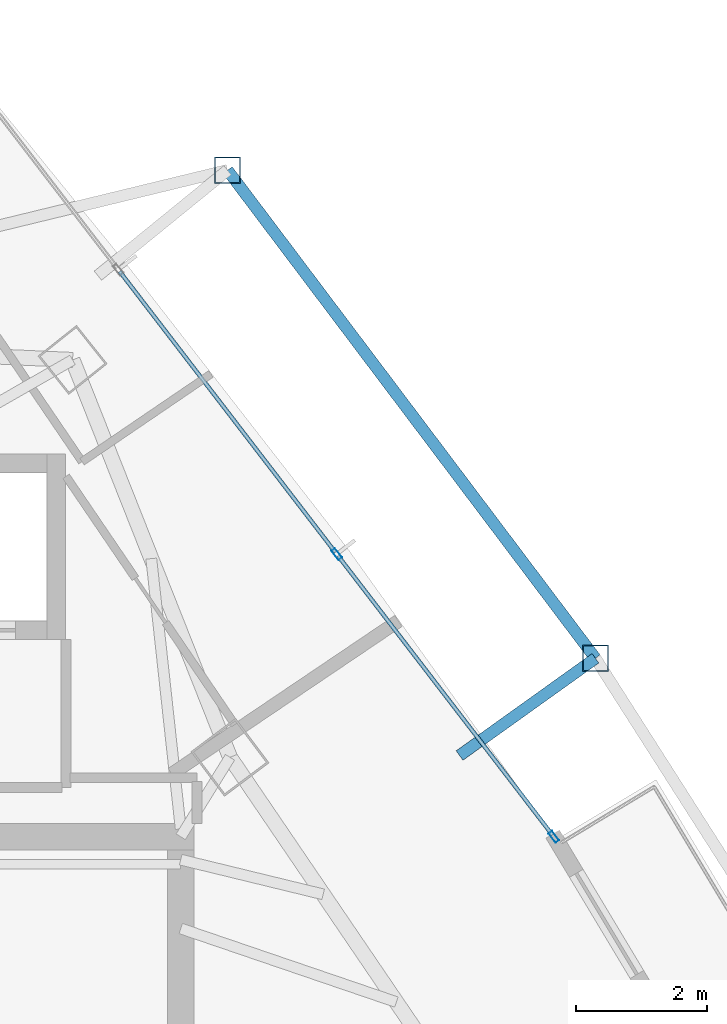
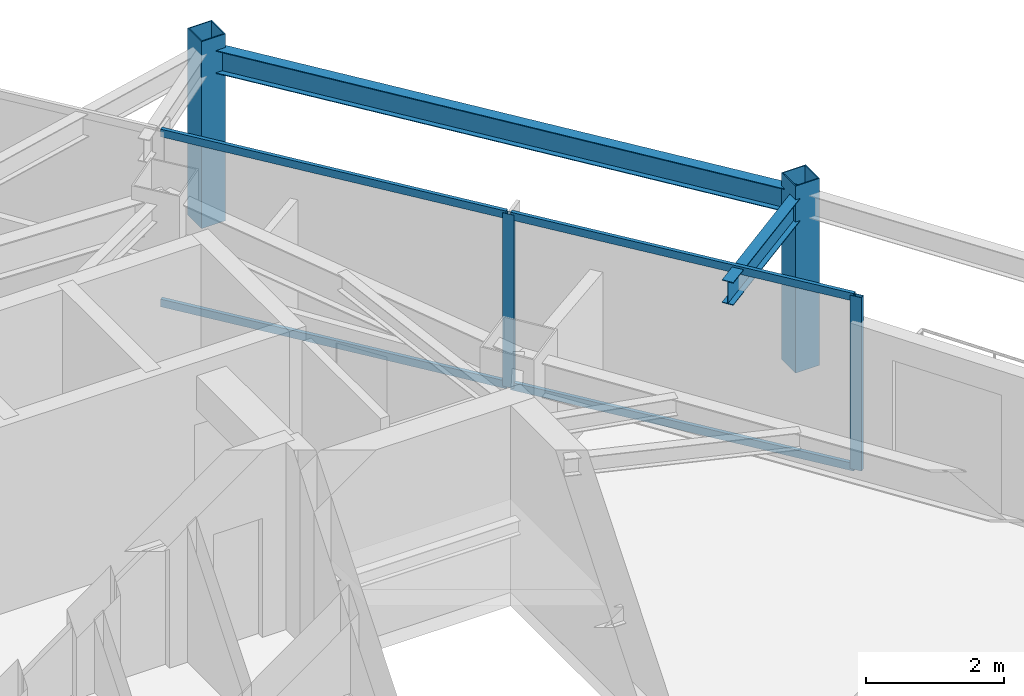
# One storey, part 22 of 29: 8 members, 2 beams, 1 element without a shape of its own.
"""IFC4 building model written with IfcOpenShell, lengths in metres."""

from ifc_helpers import new_model, si_unit, direction, frame, origin, origin_2d, place, context, subcontext, project, spatial, hollow_rectangle, i_section, extrude, material, layer, layer_set, material_profile, profile_set, type_object, element, aggregate, save


model = new_model("IFC4")

# Units and contexts
model_context = context("Model", 3, precision=1e-05, world=origin(), true_north=direction((0.0, 1.0)))
body_context = subcontext(model_context, "Body", "Model", "MODEL_VIEW")
ifc_project = project(units=[si_unit("LENGTHUNIT", "METRE"), si_unit("AREAUNIT", "SQUARE_METRE"), si_unit("VOLUMEUNIT", "CUBIC_METRE"), si_unit("PLANEANGLEUNIT", "RADIAN"), si_unit("MASSUNIT", "GRAM", prefix="KILO")], contexts=[model_context])

# Site, building, storey
site_placement = place(None, origin())
site = spatial("IfcSite", under=ifc_project, at=site_placement, CompositionType="ELEMENT")
building_placement = place(site_placement, origin())
building = spatial("IfcBuilding", under=site, at=building_placement, Name="Orvanel Arch Residences", CompositionType="ELEMENT")
storey_placement = place(building_placement, frame((0.0, 0.0, 160.550048828125)))
storey = spatial("IfcBuildingStorey", under=building, at=storey_placement, Name="L45", CompositionType="ELEMENT", Elevation=160.550048828125)

# Curtain wall, members
ifc_material_1 = material(Name="Bronze-anodised aluminium AA6063-T6", Category="aluminium")
ifc_layer = layer(ifc_material_1, 0.179931640625)
ifc_layer_set = layer_set([ifc_layer], Name="Bronze-anodised aluminium AA6063-T6")
curtain_wall_type = type_object("IfcCurtainWallType", Name="CW3-MID-SYS", PredefinedType="NOTDEFINED", material=ifc_layer_set)
curtain_wall_placement = place(storey_placement, origin())
curtain_wall = element("IfcCurtainWall", 1, at=curtain_wall_placement, inside=storey, type_object=curtain_wall_type, Name="L45 CW3-MID-SYS Unitised Curtain Wall", PredefinedType="NOTDEFINED")
ifc_material_profile_1 = material_profile(ifc_material_1, hollow_rectangle(XDim=0.070068359375, YDim=0.179931640625, WallThickness=0.00439453125, at=origin_2d()), Name="ALU180x70x4.5")
ifc_profile_set_1 = profile_set([ifc_material_profile_1], Name="Bronze-anodised aluminium AA6063-T6")
member_type_1 = type_object("IfcMemberType", Name="MUL-180x70", PredefinedType="MULLION", material=ifc_profile_set_1)
member_1_placement = place(storey_placement, frame((45.294677734375, 33.899658203125, 0.0), z_axis=(0.0, 0.0, 1.0), x_axis=(-0.793094540336, -0.609098555317, 0.0)))
member_1 = element("IfcMember", 2, at=member_1_placement, type_object=member_type_1, Name="CW-S3 mullion 1", PredefinedType="MULLION", context=body_context, shape_type="SweptSolid", body=[
    extrude(hollow_rectangle(XDim=0.070068359375, YDim=0.179931640625, WallThickness=0.00439453125, at=origin_2d()), origin(), (0.0, 0.0, 1.0), 3.06005859375),
])
member_2_placement = place(storey_placement, frame((41.9814453125, 38.214111328125, 0.0), z_axis=(0.0, 0.0, 1.0), x_axis=(-0.793094540336, -0.609098555317, 0.0)))
member_2 = element("IfcMember", 3, at=member_2_placement, type_object=member_type_1, Name="CW-S3 mullion 2", PredefinedType="MULLION", context=body_context, shape_type="SweptSolid", body=[
    extrude(hollow_rectangle(XDim=0.070068359375, YDim=0.179931640625, WallThickness=0.00439453125, at=origin_2d()), origin(), (0.0, 0.0, 1.0), 3.06005859375),
])

# Beams
ifc_material_2 = material(Name="Structural steel AS/NZS 3679.1 Grade 300 (300 MPa)", Category="steel")
ifc_material_profile_2 = material_profile(ifc_material_2, i_section(OverallWidth=0.177978515625, OverallDepth=0.406005859375, WebThickness=0.0078125, FlangeThickness=0.0126953125, at=origin_2d()), Name="410UB59.7")
ifc_profile_set_2 = profile_set([ifc_material_profile_2], Name="Structural steel AS/NZS 3679.1 Grade 300 (300 MPa)")
beam_type = type_object("IfcBeamType", Name="OB-410UB-EXT", PredefinedType="SPANDREL", material=ifc_profile_set_2)
beam_1_placement = place(storey_placement, frame((43.85595703125, 35.139892578125, 2.85693359375), z_axis=(0.813228640258, 0.581944308903, 0.0), x_axis=(-0.581944308903, 0.813228640258, 0.0)))
element("IfcBeam", 4, at=beam_1_placement, inside=storey, type_object=beam_type, Name="L45 Outer Frame Radial Tie Beam 11", PredefinedType="SPANDREL", context=body_context, shape_type="SweptSolid", body=[
    extrude(i_section(OverallWidth=0.177978515625, OverallDepth=0.406005859375, WebThickness=0.0078125, FlangeThickness=0.0126953125, at=origin_2d()), origin(), (0.0, 0.0, 1.0), 2.55029296875),
])
beam_2_placement = place(storey_placement, frame((45.929931640625, 36.6240234375, 2.85693359375), z_axis=(-0.601937083038, 0.7985435167, 0.0), x_axis=(-0.7985435167, -0.601937083038, 0.0)))
element("IfcBeam", 5, at=beam_2_placement, inside=storey, type_object=beam_type, Name="L45 Outer Perimeter Floor Ring Beam 11", PredefinedType="SPANDREL", context=body_context, shape_type="SweptSolid", body=[
    extrude(i_section(OverallWidth=0.177978515625, OverallDepth=0.406005859375, WebThickness=0.0078125, FlangeThickness=0.0126953125, at=origin_2d()), origin(), (0.0, 0.0, 1.0), 9.328125),
])

# Members
ifc_material_3 = material(Name="Structural steel AS/NZS 1163 C450L0 (Grade 450)", Category="steel")
ifc_material_profile_3 = material_profile(ifc_material_3, hollow_rectangle(XDim=0.39990234375, YDim=0.39990234375, WallThickness=0.01611328125, at=origin_2d()), Name="SHS400x400x16")
ifc_profile_set_3 = profile_set([ifc_material_profile_3], Name="Structural steel AS/NZS 1163 C450L0 (Grade 450)")
member_type_2 = type_object("IfcMemberType", Name="ST-400SHS-EXT", PredefinedType="STRUT", material=ifc_profile_set_3)
for number, where, z_axis, x_axis, name in (
    (6, (45.929931640625, 36.6240234375, 0.0), (0.0, 0.0, 1.0), (1.0, 0.0, 0.0), "L45 Outer Perimeter Frame Post 11"),
    (7, (40.31494140625, 44.072998046875, 0.0), (0.0, 0.0, 1.0), (1.0, 0.0, 0.0), "L45 Outer Perimeter Frame Post 12"),
):
    element("IfcMember", number, at=place(storey_placement, frame(where, z_axis=z_axis, x_axis=x_axis)), inside=storey, type_object=member_type_2, Name=name, PredefinedType="STRUT", context=body_context, shape_type="SweptSolid", body=[
        extrude(hollow_rectangle(XDim=0.39990234375, YDim=0.39990234375, WallThickness=0.01611328125, at=origin_2d()), origin(), (0.0, 0.0, 1.0), 3.300048828125),
    ])

# Member
ifc_material_profile_4 = material_profile(ifc_material_1, hollow_rectangle(XDim=0.06005859375, YDim=0.135009765625, WallThickness=0.00390625, at=origin_2d()), Name="ALU135x60x4")
ifc_profile_set_4 = profile_set([ifc_material_profile_4], Name="Bronze-anodised aluminium AA6063-T6")
member_type_3 = type_object("IfcMemberType", Name="TRN-135x60", PredefinedType="USERDEFINED", material=ifc_profile_set_4)
member_3_placement = place(storey_placement, frame((45.2734375, 33.927490234375, 0.030029296875), z_axis=(-0.609097558593, 0.793095305822, 0.0), x_axis=(-0.793095305822, -0.609097558593, 0.0)))
member_3 = element("IfcMember", 8, at=member_3_placement, type_object=member_type_3, Name="CW-S3 transom 1.1", ObjectType="TRANSOM", PredefinedType="USERDEFINED", context=body_context, shape_type="SweptSolid", body=[
    extrude(hollow_rectangle(XDim=0.06005859375, YDim=0.135009765625, WallThickness=0.00390625, at=origin_2d()), origin(), (0.0, 0.0, 1.0), 5.369873046875),
])

member_4_placement = place(storey_placement, frame((45.2734375, 33.927490234375, 3.030029296875), z_axis=(-0.609097558593, 0.793095305822, 0.0), x_axis=(-0.793095305822, -0.609097558593, 0.0)))
member_4 = element("IfcMember", 9, at=member_4_placement, type_object=member_type_3, Name="CW-S3 transom 1.2", ObjectType="TRANSOM", PredefinedType="USERDEFINED", context=body_context, shape_type="SweptSolid", body=[
    extrude(hollow_rectangle(XDim=0.06005859375, YDim=0.135009765625, WallThickness=0.00390625, at=origin_2d()), origin(), (0.0, 0.0, 1.0), 5.369873046875),
])

member_5_placement = place(storey_placement, frame((41.9599609375, 38.24169921875, 0.030029296875), z_axis=(-0.609081873352, 0.793107351847, 0.0), x_axis=(-0.793107351847, -0.609081873352, 0.0)))
member_5 = element("IfcMember", 10, at=member_5_placement, type_object=member_type_3, Name="CW-S3 transom 2.1", ObjectType="TRANSOM", PredefinedType="USERDEFINED", context=body_context, shape_type="SweptSolid", body=[
    extrude(hollow_rectangle(XDim=0.06005859375, YDim=0.135009765625, WallThickness=0.00390625, at=origin_2d()), origin(), (0.0, 0.0, 1.0), 5.40478515625),
])

member_6_placement = place(storey_placement, frame((41.9599609375, 38.24169921875, 3.030029296875), z_axis=(-0.609081873352, 0.793107351847, 0.0), x_axis=(-0.793107351847, -0.609081873352, 0.0)))
member_6 = element("IfcMember", 11, at=member_6_placement, type_object=member_type_3, Name="CW-S3 transom 2.2", ObjectType="TRANSOM", PredefinedType="USERDEFINED", context=body_context, shape_type="SweptSolid", body=[
    extrude(hollow_rectangle(XDim=0.06005859375, YDim=0.135009765625, WallThickness=0.00390625, at=origin_2d()), origin(), (0.0, 0.0, 1.0), 5.40478515625),
])

aggregate(curtain_wall, [member_1, member_2, member_3, member_4, member_5, member_6])

save(model, "model.ifc")
